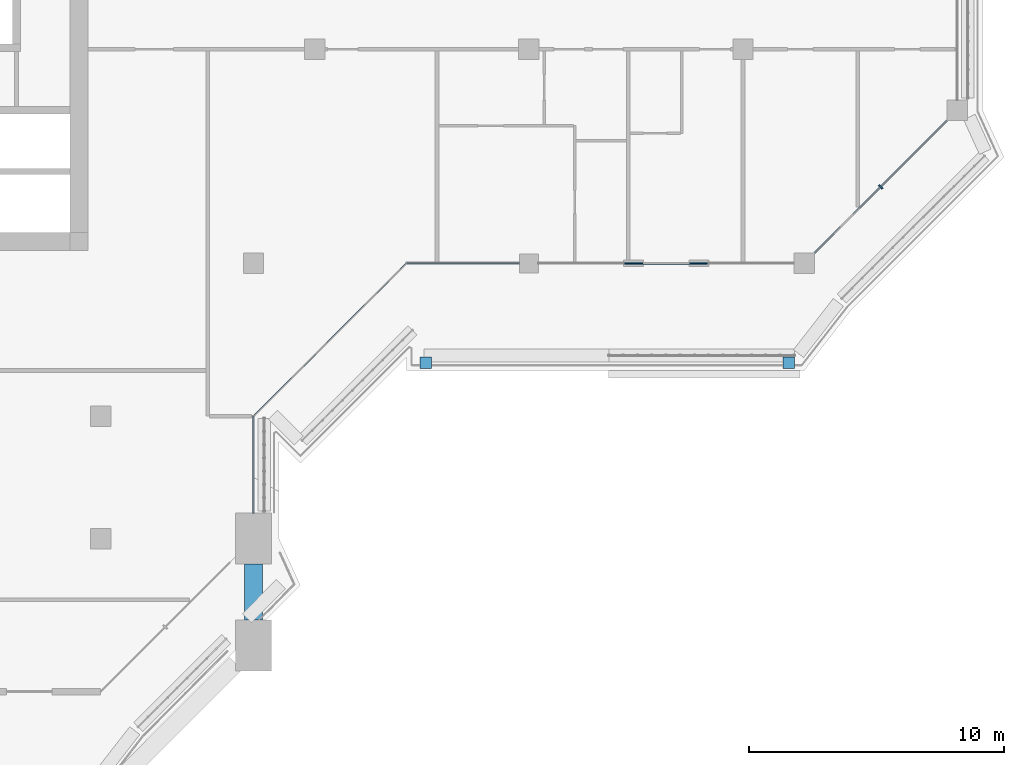
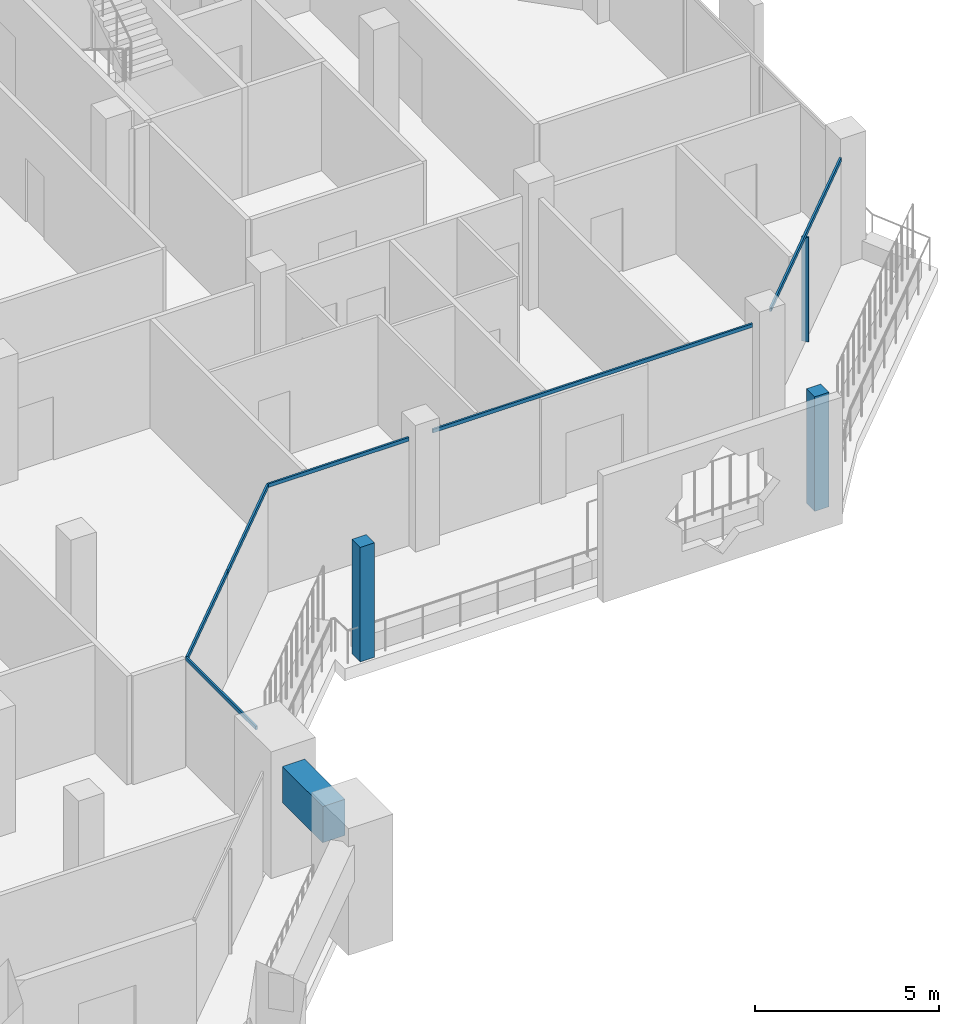
# One storey, part 4 of 22: 9 members, 1 beam, 5 elements without a shape of their own.
"""IFC4 building model written with IfcOpenShell, lengths in metres."""

from ifc_helpers import new_model, si_unit, direction, frame, origin, origin_2d, place, context, subcontext, project, spatial, rectangle, extrude, material, layer, layer_set, material_profile, profile_set, type_object, element, aggregate, save


model = new_model("IFC4")

# Units and contexts
model_context = context("Model", 3, precision=1e-05, world=origin(), true_north=direction((0.0, 1.0)))
body_context = subcontext(model_context, "Body", "Model", "MODEL_VIEW")
ifc_project = project(units=[si_unit("LENGTHUNIT", "METRE"), si_unit("AREAUNIT", "SQUARE_METRE"), si_unit("VOLUMEUNIT", "CUBIC_METRE"), si_unit("PLANEANGLEUNIT", "RADIAN"), si_unit("MASSUNIT", "GRAM", prefix="KILO")], contexts=[model_context])

# Site, building, storey
site_placement = place(None, origin())
site = spatial("IfcSite", under=ifc_project, at=site_placement, CompositionType="ELEMENT")
building_placement = place(site_placement, origin())
building = spatial("IfcBuilding", under=site, at=building_placement, Name="Kawkab Arch Medical Tower", CompositionType="ELEMENT")
storey_placement = place(building_placement, frame((0.0, 0.0, 294.39990234375)))
storey = spatial("IfcBuildingStorey", under=building, at=storey_placement, Name="L68", CompositionType="ELEMENT", Elevation=294.39990234375)

# Curtain wall, member
ifc_material_1 = material(Name="Bronze anodised aluminium curtain wall frame", Category="aluminium")
ifc_layer_1 = layer(ifc_material_1, 0.159912109375)
ifc_layer_set_1 = layer_set([ifc_layer_1], Name="Bronze anodised aluminium curtain wall frame")
curtain_wall_type_1 = type_object("IfcCurtainWallType", Name="CW1 ward curtain wall", PredefinedType="NOTDEFINED", material=ifc_layer_set_1)
placement = place(storey_placement, origin())
curtain_wall_1 = element("IfcCurtainWall", 1, at=placement, inside=storey, type_object=curtain_wall_type_1, Name="CW1 Ward curtain wall R09", PredefinedType="NOTDEFINED")
ifc_material_2 = material(Name="Bronze anodised aluminium curtain wall frame", Category="aluminium")
ifc_material_profile_1 = material_profile(ifc_material_2, rectangle(XDim=0.06005859375, YDim=0.1201171875, at=origin_2d()), Name="AL 60x120")
ifc_profile_set_1 = profile_set([ifc_material_profile_1], Name="Bronze anodised aluminium curtain wall frame")
member_type_1 = type_object("IfcMemberType", Name="CW1 transom 120 x 60", PredefinedType="USERDEFINED", material=ifc_profile_set_1)
member_1_placement = place(storey_placement, frame((31.199951171875, -35.0, 3.5400390625), z_axis=(0.0, 1.0, 0.0), x_axis=(-1.0, 0.0, 0.0)))
member_1 = element("IfcMember", 2, at=member_1_placement, type_object=member_type_1, Name="CW1 transom 1", ObjectType="TRANSOM", PredefinedType="USERDEFINED", context=body_context, shape_type="SweptSolid", body=[
    extrude(rectangle(XDim=0.06005859375, YDim=0.1201171875, at=origin_2d()), origin(), (0.0, 0.0, 1.0), 3.800048828125),
])
aggregate(curtain_wall_1, [member_1])

# Curtain wall, members
curtain_wall_2 = element("IfcCurtainWall", 3, at=placement, inside=storey, type_object=curtain_wall_type_1, Name="CW1 Ward curtain wall R11", PredefinedType="NOTDEFINED")
member_2_placement = place(storey_placement, frame((37.199951171875, -25.199951171875, 3.5400390625), z_axis=(1.0, 0.0, 0.0), x_axis=(0.0, 1.0, 0.0)))
member_2 = element("IfcMember", 4, at=member_2_placement, type_object=member_type_1, Name="CW1 transom 1", ObjectType="TRANSOM", PredefinedType="USERDEFINED", context=body_context, shape_type="SweptSolid", body=[
    extrude(rectangle(XDim=0.06005859375, YDim=0.1201171875, at=origin_2d()), origin(), (0.0, 0.0, 1.0), 4.425048828125),
])
member_3_placement = place(storey_placement, frame((42.375, -25.199951171875, 3.5400390625), z_axis=(1.0, 0.0, 0.0), x_axis=(0.0, 1.0, 0.0)))
member_3 = element("IfcMember", 5, at=member_3_placement, type_object=member_type_1, Name="CW1 transom 2", ObjectType="TRANSOM", PredefinedType="USERDEFINED", context=body_context, shape_type="SweptSolid", body=[
    extrude(rectangle(XDim=0.06005859375, YDim=0.1201171875, at=origin_2d()), origin(), (0.0, 0.0, 1.0), 10.02490234375),
])
aggregate(curtain_wall_2, [member_2, member_3])

# Curtain wall, member
ifc_material_3 = material(Name="Bronze anodised aluminium curtain wall frame", Category="aluminium")
ifc_layer_2 = layer(ifc_material_3, 0.159912109375)
ifc_layer_set_2 = layer_set([ifc_layer_2], Name="Bronze anodised aluminium curtain wall frame")
curtain_wall_type_2 = type_object("IfcCurtainWallType", Name="CW2 chamfer curtain wall", PredefinedType="NOTDEFINED", material=ifc_layer_set_2)
curtain_wall_3 = element("IfcCurtainWall", 6, at=placement, inside=storey, type_object=curtain_wall_type_2, Name="CW2 Chamfer curtain wall R12", PredefinedType="NOTDEFINED")
ifc_material_4 = material(Name="Bronze anodised aluminium curtain wall frame", Category="aluminium")
ifc_material_profile_2 = material_profile(ifc_material_4, rectangle(XDim=0.199951171875, YDim=0.06005859375, at=origin_2d()), Name="AL 60x200")
ifc_profile_set_2 = profile_set([ifc_material_profile_2], Name="Bronze anodised aluminium curtain wall frame")
member_type_2 = type_object("IfcMemberType", Name="CW2 mullion 60 x 200", PredefinedType="MULLION", material=ifc_profile_set_2)
member_4_placement = place(storey_placement, frame((55.800048828125, -22.199951171875, 0.0), z_axis=(0.0, 0.0, 1.0), x_axis=(-0.707106781187, 0.707106781187, 0.0)))
member_4 = element("IfcMember", 7, at=member_4_placement, type_object=member_type_2, Name="CW2 mullion 1.1", PredefinedType="MULLION", context=body_context, shape_type="SweptSolid", body=[
    extrude(rectangle(XDim=0.199951171875, YDim=0.06005859375, at=origin_2d()), origin(), (0.0, 0.0, 1.0), 3.460205078125),
])

# Curtain wall, members
curtain_wall_4 = element("IfcCurtainWall", 8, at=placement, inside=storey, type_object=curtain_wall_type_2, Name="CW2 Chamfer curtain wall R10", PredefinedType="NOTDEFINED")
ifc_material_5 = material(Name="Bronze anodised aluminium curtain wall frame", Category="aluminium")
ifc_material_profile_3 = material_profile(ifc_material_5, rectangle(XDim=0.06005859375, YDim=0.139892578125, at=origin_2d()), Name="AL 60x140")
ifc_profile_set_3 = profile_set([ifc_material_profile_3], Name="Bronze anodised aluminium curtain wall frame")
member_type_3 = type_object("IfcMemberType", Name="CW2 transom 140 x 60", PredefinedType="USERDEFINED", material=ifc_profile_set_3)
member_5_placement = place(storey_placement, frame((31.199951171875, -31.199951171875, 3.530029296875), z_axis=(0.707106781187, 0.707106781187, 0.0), x_axis=(-0.707106781187, 0.707106781187, 0.0)))
member_5 = element("IfcMember", 9, at=member_5_placement, type_object=member_type_3, Name="CW2 transom 1", ObjectType="TRANSOM", PredefinedType="USERDEFINED", context=body_context, shape_type="SweptSolid", body=[
    extrude(rectangle(XDim=0.06005859375, YDim=0.139892578125, at=origin_2d()), origin(), (0.0, 0.0, 1.0), 4.24267578125),
])
member_6_placement = place(storey_placement, frame((34.199951171875, -28.199951171875, 3.530029296875), z_axis=(0.707106781187, 0.707106781187, 0.0), x_axis=(-0.707106781187, 0.707106781187, 0.0)))
member_6 = element("IfcMember", 10, at=member_6_placement, type_object=member_type_3, Name="CW2 transom 2", ObjectType="TRANSOM", PredefinedType="USERDEFINED", context=body_context, shape_type="SweptSolid", body=[
    extrude(rectangle(XDim=0.06005859375, YDim=0.139892578125, at=origin_2d()), origin(), (0.0, 0.0, 1.0), 4.24267578125),
])
aggregate(curtain_wall_4, [member_5, member_6])

# Member
member_7_placement = place(storey_placement, frame((53.199951171875, -24.800048828125, 3.530029296875), z_axis=(0.707106781187, 0.707106781187, 0.0), x_axis=(-0.707106781187, 0.707106781187, 0.0)))
member_7 = element("IfcMember", 11, at=member_7_placement, type_object=member_type_3, Name="CW2 transom 1", ObjectType="TRANSOM", PredefinedType="USERDEFINED", context=body_context, shape_type="SweptSolid", body=[
    extrude(rectangle(XDim=0.06005859375, YDim=0.139892578125, at=origin_2d()), origin(), (0.0, 0.0, 1.0), 7.353759765625),
])

aggregate(curtain_wall_3, [member_7, member_4])

# Curtain wall, members
ifc_material_6 = material(Name="Bronze anodised aluminium climber frame, planted", Category="aluminium")
ifc_layer_3 = layer(ifc_material_6, 0.449951171875)
ifc_layer_set_3 = layer_set([ifc_layer_3], Name="Bronze anodised aluminium climber frame, planted")
curtain_wall_type_3 = type_object("IfcCurtainWallType", Name="Planted climber frame", PredefinedType="NOTDEFINED", material=ifc_layer_set_3)
curtain_wall_5 = element("IfcCurtainWall", 12, at=placement, inside=storey, type_object=curtain_wall_type_3, Name="Planted climber frame L68", PredefinedType="NOTDEFINED")
ifc_material_7 = material(Name="Bronze anodised aluminium climber frame, planted", Category="aluminium")
ifc_material_profile_4 = material_profile(ifc_material_7, rectangle(XDim=0.449951171875, YDim=0.449951171875, at=origin_2d()), Name="Post 450x450")
ifc_profile_set_4 = profile_set([ifc_material_profile_4], Name="Bronze anodised aluminium climber frame, planted")
member_type_4 = type_object("IfcMemberType", Name="Planted climber post 450 x 450", PredefinedType="MULLION", material=ifc_profile_set_4)
member_8_placement = place(storey_placement, frame((52.202880859375, -29.10009765625, 0.0), z_axis=(0.0, 0.0, 1.0), x_axis=(1.0, 0.0, 0.0)))
member_8 = element("IfcMember", 13, at=member_8_placement, type_object=member_type_4, Name="Planted climber post L68.LOG-01-01.5", PredefinedType="MULLION", context=body_context, shape_type="SweptSolid", body=[
    extrude(rectangle(XDim=0.449951171875, YDim=0.449951171875, at=origin_2d()), origin(), (0.0, 0.0, 1.0), 3.800048828125),
])
member_9_placement = place(storey_placement, frame((37.949951171875, -29.10009765625, 0.0), z_axis=(0.0, 0.0, 1.0), x_axis=(1.0, 0.0, 0.0)))
member_9 = element("IfcMember", 14, at=member_9_placement, type_object=member_type_4, Name="Planted climber post L68.LOG-01-01.6", PredefinedType="MULLION", context=body_context, shape_type="SweptSolid", body=[
    extrude(rectangle(XDim=0.449951171875, YDim=0.449951171875, at=origin_2d()), origin(), (0.0, 0.0, 1.0), 3.800048828125),
])
aggregate(curtain_wall_5, [member_8, member_9])

# Beam
ifc_material_8 = material(Name="Concrete C40/50", Category="concrete")
ifc_material_profile_5 = material_profile(ifc_material_8, rectangle(XDim=0.699951171875, YDim=1.199951171875, at=origin_2d()), Name="RC 700x1200")
ifc_profile_set_5 = profile_set([ifc_material_profile_5], Name="Concrete C40/50")
beam_type = type_object("IfcBeamType", Name="RC 700x1200 beam C40/50", PredefinedType="BEAM", material=ifc_profile_set_5)
beam_placement = place(storey_placement, frame((31.199951171875, -37.0, 3.0), z_axis=(0.0, -1.0, 0.0), x_axis=(1.0, 0.0, 0.0)))
element("IfcBeam", 15, at=beam_placement, inside=storey, type_object=beam_type, Name="Terrace frame beam TF-L67-1-L69-01", PredefinedType="BEAM", context=body_context, shape_type="SweptSolid", body=[
    extrude(rectangle(XDim=0.699951171875, YDim=1.199951171875, at=origin_2d()), origin(), (0.0, 0.0, 1.0), 2.199951171875),
])

save(model, "model.ifc")
